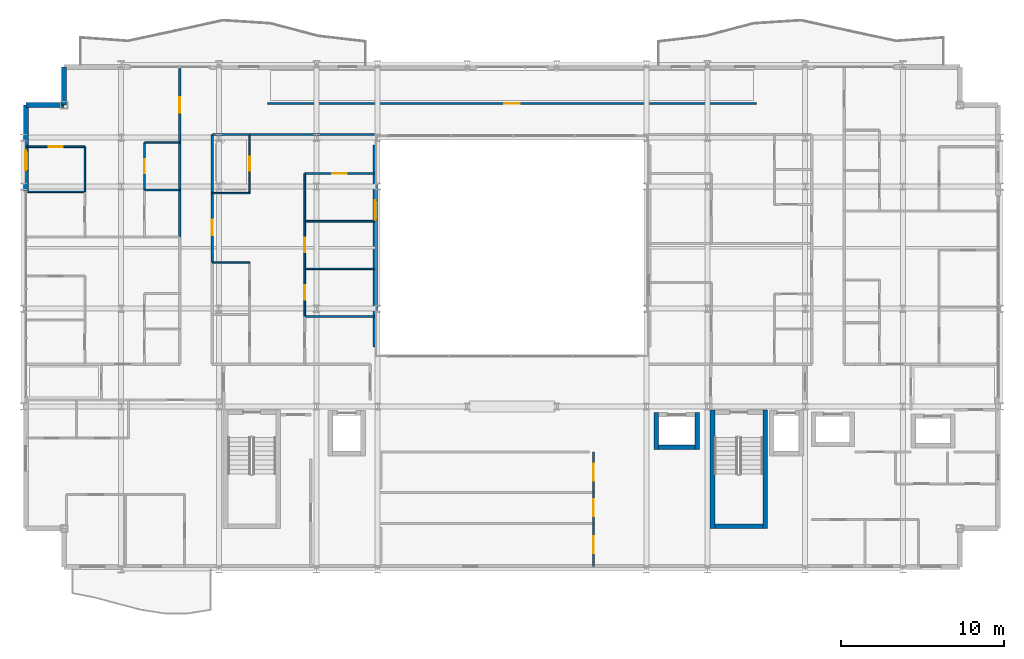
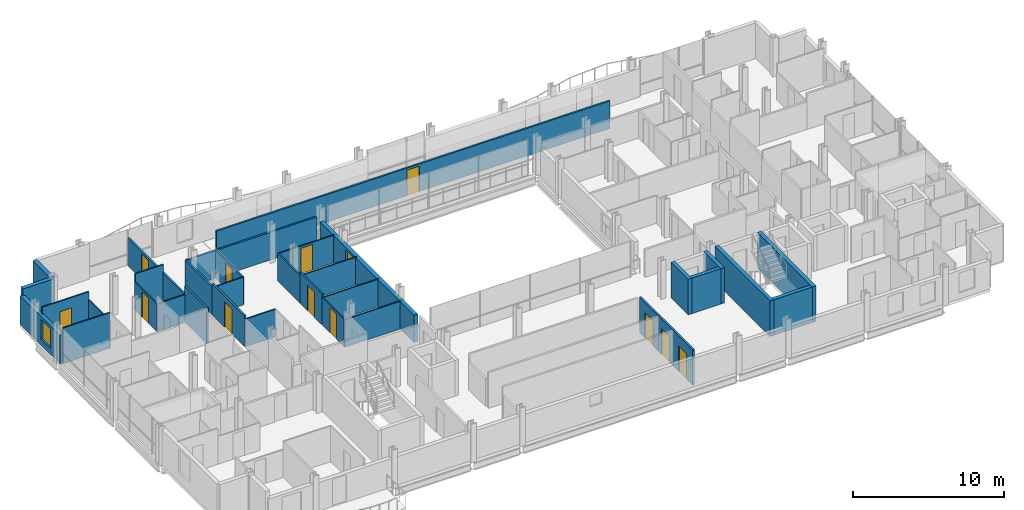
# One storey, part 33 of 40: 37 walls, 12 doors, 2 windows, 14 openings.
"""IFC4 building model written with IfcOpenShell, lengths in metres."""

from ifc_helpers import new_model, si_unit, direction, frame, frame_2d, origin, place, context, subcontext, project, spatial, rectangle, extrude, material, layer, layer_set, type_object, element, fill, save


model = new_model("IFC4")

# Units and contexts
model_context = context("Model", 3, precision=1e-05, world=origin(), true_north=direction((0.0, 1.0)))
body_context = subcontext(model_context, "Body", "Model", "MODEL_VIEW")
ifc_project = project(units=[si_unit("LENGTHUNIT", "METRE"), si_unit("AREAUNIT", "SQUARE_METRE"), si_unit("VOLUMEUNIT", "CUBIC_METRE"), si_unit("PLANEANGLEUNIT", "RADIAN"), si_unit("MASSUNIT", "GRAM", prefix="KILO")], contexts=[model_context])

# Site, building, storey
site_placement = place(None, origin())
site = spatial("IfcSite", under=ifc_project, at=site_placement, CompositionType="ELEMENT")
building_placement = place(site_placement, origin())
building = spatial("IfcBuilding", under=site, at=building_placement, Name="Brevholm Reach", CompositionType="ELEMENT")
storey_placement = place(building_placement, frame((0.0, 0.0, 62.10009765625)))
storey = spatial("IfcBuildingStorey", under=building, at=storey_placement, Name="L17", CompositionType="ELEMENT", Elevation=62.10009765625)

# Walls
ifc_material_1 = material(Name="Concrete C50/60", Category="concrete")
ifc_layer_1 = layer(ifc_material_1, 0.280029296875)
ifc_layer_set_1 = layer_set([ifc_layer_1], Name="Concrete C50/60")
wall_type_1 = type_object("IfcWallType", Name="WAL-COR-280", PredefinedType="SHEAR", material=ifc_layer_set_1)
for number, where, z_axis, x_axis, name in (
    (1, (42.31005859375, 2.5, 0.0), (0.0, 0.0, 1.0), (0.0, 1.0, 0.0), "L17 Escape Stair ST-2 Core Wall W"),
    (2, (45.5400390625, 2.5, 0.0), (0.0, 0.0, 1.0), (0.0, 1.0, 0.0), "L17 Escape Stair ST-2 Core Wall E"),
):
    element("IfcWall", number, at=place(storey_placement, frame(where, z_axis=z_axis, x_axis=x_axis)), inside=storey, type_object=wall_type_1, Name=name, PredefinedType="SHEAR", context=body_context, shape_type="SweptSolid", body=[
        extrude(rectangle(XDim=7.280029296875, YDim=0.280029296875, at=frame_2d((3.64013671875, 0.0))), origin(), (0.0, 0.0, 1.0), 2.869873046875),
    ])
wall_1_placement = place(storey_placement, frame((42.449951171875, 2.639892578125, 0.0), z_axis=(0.0, 0.0, 1.0), x_axis=(1.0, 0.0, 0.0)))
element("IfcWall", 3, at=wall_1_placement, inside=storey, type_object=wall_type_1, Name="L17 Escape Stair ST-2 Core Wall S", PredefinedType="SHEAR", context=body_context, shape_type="SweptSolid", body=[
    extrude(rectangle(XDim=2.949951171875, YDim=0.280029296875, at=frame_2d((1.47509765625, 0.0))), origin(), (0.0, 0.0, 1.0), 2.869873046875),
])
for number, where, z_axis, x_axis, name in (
    (4, (38.8701171875, 7.360107421875, 0.0), (0.0, 0.0, 1.0), (0.0, 1.0, 0.0), "L17 Lift PL-S1 Shaft Wall W"),
    (5, (41.3701171875, 7.360107421875, 0.0), (0.0, 0.0, 1.0), (0.0, 1.0, 0.0), "L17 Lift PL-S1 Shaft Wall E"),
):
    element("IfcWall", number, at=place(storey_placement, frame(where, z_axis=z_axis, x_axis=x_axis)), inside=storey, type_object=wall_type_1, Name=name, PredefinedType="SHEAR", context=body_context, shape_type="SweptSolid", body=[
        extrude(rectangle(XDim=2.27978515625, YDim=0.280029296875, at=frame_2d((1.139892578125, 0.0))), origin(), (0.0, 0.0, 1.0), 2.869873046875),
    ])
wall_2_placement = place(storey_placement, frame((39.010009765625, 7.5, 0.0), z_axis=(0.0, 0.0, 1.0), x_axis=(1.0, 0.0, 0.0)))
element("IfcWall", 6, at=wall_2_placement, inside=storey, type_object=wall_type_1, Name="L17 Lift PL-S1 Shaft Wall S", PredefinedType="SHEAR", context=body_context, shape_type="SweptSolid", body=[
    extrude(rectangle(XDim=2.219970703125, YDim=0.280029296875, at=frame_2d((1.10986328125, 0.0))), origin(), (0.0, 0.0, 1.0), 2.869873046875),
])
ifc_material_2 = material(Name="Concrete C40/50", Category="concrete")
ifc_layer_2 = layer(ifc_material_2, 0.300048828125)
ifc_layer_set_2 = layer_set([ifc_layer_2], Name="Concrete C40/50")
wall_type_2 = type_object("IfcWallType", Name="WAL-EXT-300", PredefinedType="STANDARD", material=ifc_layer_set_2)
for number, where, z_axis, x_axis, name in (
    (7, (2.5, 30.85009765625, 0.0), (0.0, 0.0, 1.0), (0.0, -1.0, 0.0), "L17 Facade Wall WAL-L17-CNW1"),
    (8, (2.5, 28.5, 0.0), (0.0, 0.0, 1.0), (-1.0, 0.0, 0.0), "L17 Facade Wall WAL-L17-CNW2"),
):
    element("IfcWall", number, at=place(storey_placement, frame(where, z_axis=z_axis, x_axis=x_axis)), inside=storey, type_object=wall_type_2, Name=name, PredefinedType="STANDARD", context=body_context, shape_type="SweptSolid", body=[
        extrude(rectangle(XDim=2.35009765625, YDim=0.300048828125, at=frame_2d((1.175048828125, 0.0))), origin(), (0.0, 0.0, 1.0), 2.869873046875),
    ])

# Wall, opening, window
wall_3_placement = place(storey_placement, frame((0.14990234375, 28.5, 0.0), z_axis=(0.0, 0.0, 1.0), x_axis=(0.0, -1.0, 0.0)))
wall_3 = element("IfcWall", 9, at=wall_3_placement, inside=storey, type_object=wall_type_2, Name="L17 Facade Wall WAL-L17-W-N", PredefinedType="STANDARD", context=body_context, shape_type="SweptSolid", body=[
    extrude(rectangle(XDim=5.280029296875, YDim=0.300048828125, at=frame_2d((2.64013671875, 0.0))), origin(), (0.0, 0.0, 1.0), 2.305419921875),
])
opening_1_placement = place(wall_3_placement, frame((2.800048828125, 0.0, 0.486083984375)))
opening_1 = element("IfcOpeningElement", 10, at=opening_1_placement, cuts=wall_3, Name="Opening WN-08", PredefinedType="OPENING", context=body_context, shape_type="SweptSolid", body=[
    extrude(rectangle(XDim=1.199951171875, YDim=1.60009765625, at=frame_2d((0.60009765625, 0.800048828125))), frame((0.0, 0.159912109375, 0.0), z_axis=(0.0, -1.0, 0.0), x_axis=(1.0, 0.0, 0.0)), (0.0, 0.0, 1.0), 0.320068359375),
])
ifc_material_3 = material(Name="Dark Anodised Aluminium and Solar-Control IGU Glass", Category="aluminium")
window_type = type_object("IfcWindowType", Name="WIN-RES-1200", PartitioningType="SINGLE_PANEL", PredefinedType="WINDOW", material=ifc_material_3)
window_1_placement = place(opening_1_placement, origin())
window_1 = element("IfcWindow", 11, at=window_1_placement, inside=storey, type_object=window_type, Name="L17 Window WIN-L17-WN-1", OverallHeight=1.60009765625, OverallWidth=1.199951171875, PartitioningType="SINGLE_PANEL", PredefinedType="WINDOW", context=body_context, shape_type="SweptSolid", body=[
    extrude(rectangle(XDim=1.199951171875, YDim=1.60009765625, at=frame_2d((0.60009765625, 0.800048828125))), frame((0.0, 0.030029296875, 0.0), z_axis=(0.0, -1.0, 0.0), x_axis=(1.0, 0.0, 0.0)), (0.0, 0.0, 1.0), 0.06005859375),
])
fill(opening_1, window_1)

wall_4_placement = place(storey_placement, frame((21.60009765625, 26.050048828125, 0.0), z_axis=(0.0, 0.0, 1.0), x_axis=(0.0, -1.0, 0.0)))
wall_4 = element("IfcWall", 12, at=wall_4_placement, inside=storey, type_object=wall_type_2, Name="L17 Facade Wall WAL-L17-AT-W", PredefinedType="STANDARD", context=body_context, shape_type="SweptSolid", body=[
    extrude(rectangle(XDim=12.400146484375, YDim=0.300048828125, at=frame_2d((6.2001953125, 0.0))), origin(), (0.0, 0.0, 1.0), 2.224609375),
])
opening_2_placement = place(wall_4_placement, frame((3.39990234375, 0.0, 0.405029296875)))
opening_2 = element("IfcOpeningElement", 13, at=opening_2_placement, cuts=wall_4, Name="Opening WN-08", PredefinedType="OPENING", context=body_context, shape_type="SweptSolid", body=[
    extrude(rectangle(XDim=1.199951171875, YDim=1.60009765625, at=frame_2d((0.60009765625, 0.800048828125))), frame((0.0, 0.159912109375, 0.0), z_axis=(0.0, -1.0, 0.0), x_axis=(1.0, 0.0, 0.0)), (0.0, 0.0, 1.0), 0.320068359375),
])
window_2_placement = place(opening_2_placement, origin())
window_2 = element("IfcWindow", 14, at=window_2_placement, inside=storey, type_object=window_type, Name="L17 Window WIN-L17-AT-W1", OverallHeight=1.60009765625, OverallWidth=1.199951171875, PartitioningType="SINGLE_PANEL", PredefinedType="WINDOW", context=body_context, shape_type="SweptSolid", body=[
    extrude(rectangle(XDim=1.199951171875, YDim=1.60009765625, at=frame_2d((0.60009765625, 0.800048828125))), frame((0.0, 0.030029296875, 0.0), z_axis=(0.0, -1.0, 0.0), x_axis=(1.0, 0.0, 0.0)), (0.0, 0.0, 1.0), 0.06005859375),
])
fill(opening_2, window_2)

# Walls
ifc_material_4 = material(Name="Moisture-Resistant Acoustic Gypsum Stud Partition 100 mm", Category="gypsum")
ifc_layer_3 = layer(ifc_material_4, 0.10009765625)
ifc_layer_set_3 = layer_set([ifc_layer_3], Name="Moisture-Resistant Acoustic Gypsum Stud Partition 100 mm")
wall_type_3 = type_object("IfcWallType", Name="WAL-PRT-100", PredefinedType="PARTITIONING", material=ifc_layer_set_3)
wall_5_placement = place(storey_placement, frame((7.43798828125, 23.2880859375, 0.0), z_axis=(0.0, 0.0, 1.0), x_axis=(1.0, 0.0, 0.0)))
element("IfcWall", 15, at=wall_5_placement, inside=storey, type_object=wall_type_3, Name="L17 Internal Partition 095", PredefinedType="PARTITIONING", context=body_context, shape_type="SweptSolid", body=[
    extrude(rectangle(XDim=2.157958984375, YDim=0.10009765625, at=frame_2d((1.0791015625, 0.0))), origin(), (0.0, 0.0, 1.0), 2.224609375),
])
wall_6_placement = place(storey_placement, frame((7.43798828125, 26.199951171875, 0.0), z_axis=(0.0, 0.0, 1.0), x_axis=(1.0, 0.0, 0.0)))
element("IfcWall", 16, at=wall_6_placement, inside=storey, type_object=wall_type_3, Name="L17 Internal Partition 097", PredefinedType="PARTITIONING", context=body_context, shape_type="SweptSolid", body=[
    extrude(rectangle(XDim=2.157958984375, YDim=0.10009765625, at=frame_2d((1.0791015625, 0.0))), origin(), (0.0, 0.0, 1.0), 2.869873046875),
])

# Wall, opening, door
wall_7_placement = place(storey_placement, frame((7.43798828125, 23.2919921875, 0.0), z_axis=(0.0, 0.0, 1.0), x_axis=(0.0, 1.0, 0.0)))
wall_7 = element("IfcWall", 17, at=wall_7_placement, inside=storey, type_object=wall_type_3, Name="L17 Internal Partition 098", PredefinedType="PARTITIONING", context=body_context, shape_type="SweptSolid", body=[
    extrude(rectangle(XDim=2.907958984375, YDim=0.10009765625, at=frame_2d((1.4541015625, 0.0))), origin(), (0.0, 0.0, 1.0), 2.224609375),
])
opening_3_placement = place(wall_7_placement, frame((1.013916015625, 0.0, 0.0)))
opening_3 = element("IfcOpeningElement", 18, at=opening_3_placement, cuts=wall_7, Name="Opening ID-01", PredefinedType="OPENING", context=body_context, shape_type="SweptSolid", body=[
    extrude(rectangle(XDim=0.8798828125, YDim=2.0400390625, at=frame_2d((0.43994140625, 1.02001953125))), frame((0.0, 0.06005859375, 0.0), z_axis=(0.0, -1.0, 0.0), x_axis=(1.0, 0.0, 0.0)), (0.0, 0.0, 1.0), 0.1201171875),
])
ifc_material_5 = material(Name="Lacquered Ash Solid-Core Acoustic Internal Door", Category="timber")
door_type_1 = type_object("IfcDoorType", Name="DOR-INT-880", OperationType="NOTDEFINED", PredefinedType="DOOR", material=ifc_material_5)
door_1_placement = place(opening_3_placement, origin())
door_1 = element("IfcDoor", 19, at=door_1_placement, inside=storey, type_object=door_type_1, Name="L17 Internal Door 035", OperationType="SINGLE_SWING_LEFT", OverallHeight=2.0400390625, OverallWidth=0.8798828125, PredefinedType="DOOR", context=body_context, shape_type="SweptSolid", body=[
    extrude(rectangle(XDim=0.8798828125, YDim=2.0400390625, at=frame_2d((0.43994140625, 1.02001953125))), frame((0.0, 0.02490234375, 0.0), z_axis=(0.0, -1.0, 0.0), x_axis=(1.0, 0.0, 0.0)), (0.0, 0.0, 1.0), 0.050048828125),
])
fill(opening_3, door_1)

# Walls
wall_8_placement = place(storey_placement, frame((0.199951171875, 23.175048828125, 0.0), z_axis=(0.0, 0.0, 1.0), x_axis=(1.0, 0.0, 0.0)))
element("IfcWall", 20, at=wall_8_placement, inside=storey, type_object=wall_type_3, Name="L17 Internal Partition 099", PredefinedType="PARTITIONING", context=body_context, shape_type="SweptSolid", body=[
    extrude(rectangle(XDim=3.572021484375, YDim=0.10009765625, at=frame_2d((1.7861328125, 0.0))), origin(), (0.0, 0.0, 1.0), 2.869873046875),
])
wall_9_placement = place(storey_placement, frame((3.77197265625, 23.178955078125, 0.0), z_axis=(0.0, 0.0, 1.0), x_axis=(0.0, 1.0, 0.0)))
element("IfcWall", 21, at=wall_9_placement, inside=storey, type_object=wall_type_3, Name="L17 Internal Partition 101", PredefinedType="PARTITIONING", context=body_context, shape_type="SweptSolid", body=[
    extrude(rectangle(XDim=2.77099609375, YDim=0.10009765625, at=frame_2d((1.385498046875, 0.0))), origin(), (0.0, 0.0, 1.0), 2.224609375),
])

# Wall, opening, door
wall_10_placement = place(storey_placement, frame((0.199951171875, 25.949951171875, 0.0), z_axis=(0.0, 0.0, 1.0), x_axis=(1.0, 0.0, 0.0)))
wall_10 = element("IfcWall", 22, at=wall_10_placement, inside=storey, type_object=wall_type_3, Name="L17 Internal Partition 102", PredefinedType="PARTITIONING", context=body_context, shape_type="SweptSolid", body=[
    extrude(rectangle(XDim=3.572021484375, YDim=0.10009765625, at=frame_2d((1.7861328125, 0.0))), origin(), (0.0, 0.0, 1.0), 2.869873046875),
])
opening_4_placement = place(wall_10_placement, frame((1.345947265625, 0.0, 0.0)))
opening_4 = element("IfcOpeningElement", 23, at=opening_4_placement, cuts=wall_10, Name="Opening ID-01", PredefinedType="OPENING", context=body_context, shape_type="SweptSolid", body=[
    extrude(rectangle(XDim=0.8798828125, YDim=2.0400390625, at=frame_2d((0.43994140625, 1.02001953125))), frame((0.0, 0.06005859375, 0.0), z_axis=(0.0, -1.0, 0.0), x_axis=(1.0, 0.0, 0.0)), (0.0, 0.0, 1.0), 0.1201171875),
])
door_2_placement = place(opening_4_placement, origin())
door_2 = element("IfcDoor", 24, at=door_2_placement, inside=storey, type_object=door_type_1, Name="L17 Internal Door 037", OperationType="SINGLE_SWING_LEFT", OverallHeight=2.0400390625, OverallWidth=0.8798828125, PredefinedType="DOOR", context=body_context, shape_type="SweptSolid", body=[
    extrude(rectangle(XDim=0.8798828125, YDim=2.0400390625, at=frame_2d((0.43994140625, 1.02001953125))), frame((0.0, 0.02490234375, 0.0), z_axis=(0.0, -1.0, 0.0), x_axis=(1.0, 0.0, 0.0)), (0.0, 0.0, 1.0), 0.050048828125),
])
fill(opening_4, door_2)

# Walls
for number, where, z_axis, x_axis, name in (
    (25, (11.60400390625, 18.85009765625, 0.0), (0.0, 0.0, 1.0), (1.0, 0.0, 0.0), "L17 Internal Partition 106"),
    (26, (11.60400390625, 23.10009765625, 0.0), (0.0, 0.0, 1.0), (1.0, 0.0, 0.0), "L17 Internal Partition 107"),
):
    element("IfcWall", number, at=place(storey_placement, frame(where, z_axis=z_axis, x_axis=x_axis)), inside=storey, type_object=wall_type_3, Name=name, PredefinedType="PARTITIONING", context=body_context, shape_type="SweptSolid", body=[
        extrude(rectangle(XDim=2.284912109375, YDim=0.10009765625, at=frame_2d((1.142578125, 0.0))), origin(), (0.0, 0.0, 1.0), 2.224609375),
    ])

# Wall, opening, door
wall_11_placement = place(storey_placement, frame((13.888916015625, 23.10009765625, 0.0), z_axis=(0.0, 0.0, 1.0), x_axis=(0.0, 1.0, 0.0)))
wall_11 = element("IfcWall", 27, at=wall_11_placement, inside=storey, type_object=wall_type_3, Name="L17 Internal Partition 108", PredefinedType="PARTITIONING", context=body_context, shape_type="SweptSolid", body=[
    extrude(rectangle(XDim=3.595947265625, YDim=0.10009765625, at=frame_2d((1.7978515625, 0.0))), origin(), (0.0, 0.0, 1.0), 2.224609375),
])
opening_5_placement = place(wall_11_placement, frame((1.35791015625, 0.0, 0.0)))
opening_5 = element("IfcOpeningElement", 28, at=opening_5_placement, cuts=wall_11, Name="Opening ID-01", PredefinedType="OPENING", context=body_context, shape_type="SweptSolid", body=[
    extrude(rectangle(XDim=0.8798828125, YDim=2.0400390625, at=frame_2d((0.43994140625, 1.02001953125))), frame((0.0, 0.06005859375, 0.0), z_axis=(0.0, -1.0, 0.0), x_axis=(1.0, 0.0, 0.0)), (0.0, 0.0, 1.0), 0.1201171875),
])
door_3_placement = place(opening_5_placement, origin())
door_3 = element("IfcDoor", 29, at=door_3_placement, inside=storey, type_object=door_type_1, Name="L17 Internal Door 040", OperationType="SINGLE_SWING_RIGHT", OverallHeight=2.0400390625, OverallWidth=0.8798828125, PredefinedType="DOOR", context=body_context, shape_type="SweptSolid", body=[
    extrude(rectangle(XDim=0.8798828125, YDim=2.0400390625, at=frame_2d((0.43994140625, 1.02001953125))), frame((0.0, 0.02490234375, 0.0), z_axis=(0.0, -1.0, 0.0), x_axis=(1.0, 0.0, 0.0)), (0.0, 0.0, 1.0), 0.050048828125),
])
fill(opening_5, door_3)

# Walls
for number, where, z_axis, x_axis, name in (
    (30, (17.27099609375, 15.52490234375, 0.0), (0.0, 0.0, 1.0), (1.0, 0.0, 0.0), "L17 Internal Partition 109"),
    (31, (17.27099609375, 18.449951171875, 0.0), (0.0, 0.0, 1.0), (1.0, 0.0, 0.0), "L17 Internal Partition 111"),
):
    element("IfcWall", number, at=place(storey_placement, frame(where, z_axis=z_axis, x_axis=x_axis)), inside=storey, type_object=wall_type_3, Name=name, PredefinedType="PARTITIONING", context=body_context, shape_type="SweptSolid", body=[
        extrude(rectangle(XDim=4.279052734375, YDim=0.10009765625, at=frame_2d((2.1396484375, 0.0))), origin(), (0.0, 0.0, 1.0), 2.224609375),
    ])

# Wall, opening, door
wall_12_placement = place(storey_placement, frame((17.27099609375, 15.529052734375, 0.0), z_axis=(0.0, 0.0, 1.0), x_axis=(0.0, 1.0, 0.0)))
wall_12 = element("IfcWall", 32, at=wall_12_placement, inside=storey, type_object=wall_type_3, Name="L17 Internal Partition 112", PredefinedType="PARTITIONING", context=body_context, shape_type="SweptSolid", body=[
    extrude(rectangle(XDim=2.9208984375, YDim=0.10009765625, at=frame_2d((1.46044921875, 0.0))), origin(), (0.0, 0.0, 1.0), 2.224609375),
])
opening_6_placement = place(wall_12_placement, frame((1.0205078125, 0.0, 0.0)))
opening_6 = element("IfcOpeningElement", 33, at=opening_6_placement, cuts=wall_12, Name="Opening ID-01", PredefinedType="OPENING", context=body_context, shape_type="SweptSolid", body=[
    extrude(rectangle(XDim=0.8798828125, YDim=2.0400390625, at=frame_2d((0.43994140625, 1.02001953125))), frame((0.0, 0.06005859375, 0.0), z_axis=(0.0, -1.0, 0.0), x_axis=(1.0, 0.0, 0.0)), (0.0, 0.0, 1.0), 0.1201171875),
])
door_4_placement = place(opening_6_placement, origin())
door_4 = element("IfcDoor", 34, at=door_4_placement, inside=storey, type_object=door_type_1, Name="L17 Internal Door 042", OperationType="SINGLE_SWING_RIGHT", OverallHeight=2.0400390625, OverallWidth=0.8798828125, PredefinedType="DOOR", context=body_context, shape_type="SweptSolid", body=[
    extrude(rectangle(XDim=0.8798828125, YDim=2.0400390625, at=frame_2d((0.43994140625, 1.02001953125))), frame((0.0, 0.02490234375, 0.0), z_axis=(0.0, -1.0, 0.0), x_axis=(1.0, 0.0, 0.0)), (0.0, 0.0, 1.0), 0.050048828125),
])
fill(opening_6, door_4)

# Wall
wall_13_placement = place(storey_placement, frame((17.27099609375, 21.375, 0.0), z_axis=(0.0, 0.0, 1.0), x_axis=(1.0, 0.0, 0.0)))
element("IfcWall", 35, at=wall_13_placement, inside=storey, type_object=wall_type_3, Name="L17 Internal Partition 113", PredefinedType="PARTITIONING", context=body_context, shape_type="SweptSolid", body=[
    extrude(rectangle(XDim=4.279052734375, YDim=0.10009765625, at=frame_2d((2.1396484375, 0.0))), origin(), (0.0, 0.0, 1.0), 2.224609375),
])

# Wall, opening, door
wall_14_placement = place(storey_placement, frame((17.27099609375, 18.4541015625, 0.0), z_axis=(0.0, 0.0, 1.0), x_axis=(0.0, 1.0, 0.0)))
wall_14 = element("IfcWall", 36, at=wall_14_placement, inside=storey, type_object=wall_type_3, Name="L17 Internal Partition 114", PredefinedType="PARTITIONING", context=body_context, shape_type="SweptSolid", body=[
    extrude(rectangle(XDim=2.9208984375, YDim=0.10009765625, at=frame_2d((1.46044921875, 0.0))), origin(), (0.0, 0.0, 1.0), 2.489990234375),
])
opening_7_placement = place(wall_14_placement, frame((1.0205078125, 0.0, 0.0)))
opening_7 = element("IfcOpeningElement", 37, at=opening_7_placement, cuts=wall_14, Name="Opening ID-01", PredefinedType="OPENING", context=body_context, shape_type="SweptSolid", body=[
    extrude(rectangle(XDim=0.8798828125, YDim=2.0400390625, at=frame_2d((0.43994140625, 1.02001953125))), frame((0.0, 0.06005859375, 0.0), z_axis=(0.0, -1.0, 0.0), x_axis=(1.0, 0.0, 0.0)), (0.0, 0.0, 1.0), 0.1201171875),
])
door_5_placement = place(opening_7_placement, origin())
door_5 = element("IfcDoor", 38, at=door_5_placement, inside=storey, type_object=door_type_1, Name="L17 Internal Door 043", OperationType="SINGLE_SWING_LEFT", OverallHeight=2.0400390625, OverallWidth=0.8798828125, PredefinedType="DOOR", context=body_context, shape_type="SweptSolid", body=[
    extrude(rectangle(XDim=0.8798828125, YDim=2.0400390625, at=frame_2d((0.43994140625, 1.02001953125))), frame((0.0, 0.02490234375, 0.0), z_axis=(0.0, -1.0, 0.0), x_axis=(1.0, 0.0, 0.0)), (0.0, 0.0, 1.0), 0.050048828125),
])
fill(opening_7, door_5)

wall_15_placement = place(storey_placement, frame((17.27099609375, 24.300048828125, 0.0), z_axis=(0.0, 0.0, 1.0), x_axis=(1.0, 0.0, 0.0)))
wall_15 = element("IfcWall", 39, at=wall_15_placement, inside=storey, type_object=wall_type_3, Name="L17 Internal Partition 115", PredefinedType="PARTITIONING", context=body_context, shape_type="SweptSolid", body=[
    extrude(rectangle(XDim=4.279052734375, YDim=0.10009765625, at=frame_2d((2.1396484375, 0.0))), origin(), (0.0, 0.0, 1.0), 2.224609375),
])
opening_8_placement = place(wall_15_placement, frame((1.699462890625, 0.0, 0.0)))
opening_8 = element("IfcOpeningElement", 40, at=opening_8_placement, cuts=wall_15, Name="Opening ID-01", PredefinedType="OPENING", context=body_context, shape_type="SweptSolid", body=[
    extrude(rectangle(XDim=0.8798828125, YDim=2.0400390625, at=frame_2d((0.43994140625, 1.02001953125))), frame((0.0, 0.06005859375, 0.0), z_axis=(0.0, -1.0, 0.0), x_axis=(1.0, 0.0, 0.0)), (0.0, 0.0, 1.0), 0.1201171875),
])
door_6_placement = place(opening_8_placement, origin())
door_6 = element("IfcDoor", 41, at=door_6_placement, inside=storey, type_object=door_type_1, Name="L17 Internal Door 044", OperationType="SINGLE_SWING_RIGHT", OverallHeight=2.0400390625, OverallWidth=0.8798828125, PredefinedType="DOOR", context=body_context, shape_type="SweptSolid", body=[
    extrude(rectangle(XDim=0.8798828125, YDim=2.0400390625, at=frame_2d((0.43994140625, 1.02001953125))), frame((0.0, 0.02490234375, 0.0), z_axis=(0.0, -1.0, 0.0), x_axis=(1.0, 0.0, 0.0)), (0.0, 0.0, 1.0), 0.050048828125),
])
fill(opening_8, door_6)

# Wall
wall_16_placement = place(storey_placement, frame((17.27099609375, 21.37890625, 0.0), z_axis=(0.0, 0.0, 1.0), x_axis=(0.0, 1.0, 0.0)))
element("IfcWall", 42, at=wall_16_placement, inside=storey, type_object=wall_type_3, Name="L17 Internal Partition 116", PredefinedType="PARTITIONING", context=body_context, shape_type="SweptSolid", body=[
    extrude(rectangle(XDim=2.921142578125, YDim=0.10009765625, at=frame_2d((1.46044921875, 0.0))), origin(), (0.0, 0.0, 1.0), 2.224609375),
])

# Wall, opening, door
ifc_material_6 = material(Name="Twin-Stud Acoustic Fire-Rated Gypsum Partition 140 mm", Category="gypsum")
ifc_layer_4 = layer(ifc_material_6, 0.139892578125)
ifc_layer_set_4 = layer_set([ifc_layer_4], Name="Twin-Stud Acoustic Fire-Rated Gypsum Partition 140 mm")
wall_type_4 = type_object("IfcWallType", Name="WAL-PRT-140", PredefinedType="PARTITIONING", material=ifc_layer_set_4)
wall_17_placement = place(storey_placement, frame((35.0, 0.179931640625, 0.0), z_axis=(0.0, 0.0, 1.0), x_axis=(0.0, 1.0, 0.0)))
wall_17 = element("IfcWall", 43, at=wall_17_placement, inside=storey, type_object=wall_type_4, Name="L17 Internal Partition 001", PredefinedType="PARTITIONING", context=body_context, shape_type="SweptSolid", body=[
    extrude(rectangle(XDim=2.6484375, YDim=0.139892578125, at=frame_2d((1.32421875, 0.0))), origin(), (0.0, 0.0, 1.0), 2.869873046875),
])
opening_9_placement = place(wall_17_placement, frame((0.799072265625, 0.0, 0.0)))
opening_9 = element("IfcOpeningElement", 44, at=opening_9_placement, cuts=wall_17, Name="Opening FD-01", PredefinedType="OPENING", context=body_context, shape_type="SweptSolid", body=[
    extrude(rectangle(XDim=1.050048828125, YDim=2.06005859375, at=frame_2d((0.52490234375, 1.030029296875))), frame((0.0, 0.079833984375, 0.0), z_axis=(0.0, -1.0, 0.0), x_axis=(1.0, 0.0, 0.0)), (0.0, 0.0, 1.0), 0.159912109375),
])
ifc_material_7 = material(Name="Hardwood-Lipped Steel-Core Fire and Smoke Door", Category="steel")
door_type_2 = type_object("IfcDoorType", Name="DOR-INT-FD60S", OperationType="NOTDEFINED", PredefinedType="DOOR", material=ifc_material_7)
door_7_placement = place(opening_9_placement, origin())
door_7 = element("IfcDoor", 45, at=door_7_placement, inside=storey, type_object=door_type_2, Name="L17 Internal Door 001", OperationType="SINGLE_SWING_LEFT", OverallHeight=2.06005859375, OverallWidth=1.050048828125, PredefinedType="DOOR", context=body_context, shape_type="SweptSolid", body=[
    extrude(rectangle(XDim=1.050048828125, YDim=2.06005859375, at=frame_2d((0.52490234375, 1.030029296875))), frame((0.0, 0.02490234375, 0.0), z_axis=(0.0, -1.0, 0.0), x_axis=(1.0, 0.0, 0.0)), (0.0, 0.0, 1.0), 0.050048828125),
])
fill(opening_9, door_7)

wall_18_placement = place(storey_placement, frame((35.0, 2.809814453125, 0.0), z_axis=(0.0, 0.0, 1.0), x_axis=(0.0, 1.0, 0.0)))
wall_18 = element("IfcWall", 46, at=wall_18_placement, inside=storey, type_object=wall_type_4, Name="L17 Internal Partition 002", PredefinedType="PARTITIONING", context=body_context, shape_type="SweptSolid", body=[
    extrude(rectangle(XDim=1.91845703125, YDim=0.139892578125, at=frame_2d((0.959228515625, 0.0))), origin(), (0.0, 0.0, 1.0), 2.869873046875),
])
opening_10_placement = place(wall_18_placement, frame((0.434326171875, 0.0, 0.0)))
opening_10 = element("IfcOpeningElement", 47, at=opening_10_placement, cuts=wall_18, Name="Opening FD-01", PredefinedType="OPENING", context=body_context, shape_type="SweptSolid", body=[
    extrude(rectangle(XDim=1.050048828125, YDim=2.06005859375, at=frame_2d((0.52490234375, 1.030029296875))), frame((0.0, 0.079833984375, 0.0), z_axis=(0.0, -1.0, 0.0), x_axis=(1.0, 0.0, 0.0)), (0.0, 0.0, 1.0), 0.159912109375),
])
door_8_placement = place(opening_10_placement, origin())
door_8 = element("IfcDoor", 48, at=door_8_placement, inside=storey, type_object=door_type_2, Name="L17 Internal Door 002", OperationType="SINGLE_SWING_RIGHT", OverallHeight=2.06005859375, OverallWidth=1.050048828125, PredefinedType="DOOR", context=body_context, shape_type="SweptSolid", body=[
    extrude(rectangle(XDim=1.050048828125, YDim=2.06005859375, at=frame_2d((0.52490234375, 1.030029296875))), frame((0.0, 0.02490234375, 0.0), z_axis=(0.0, -1.0, 0.0), x_axis=(1.0, 0.0, 0.0)), (0.0, 0.0, 1.0), 0.050048828125),
])
fill(opening_10, door_8)

wall_19_placement = place(storey_placement, frame((35.0, 4.709716796875, 0.0), z_axis=(0.0, 0.0, 1.0), x_axis=(0.0, 1.0, 0.0)))
wall_19 = element("IfcWall", 49, at=wall_19_placement, inside=storey, type_object=wall_type_4, Name="L17 Internal Partition 003", PredefinedType="PARTITIONING", context=body_context, shape_type="SweptSolid", body=[
    extrude(rectangle(XDim=2.50146484375, YDim=0.139892578125, at=frame_2d((1.250732421875, 0.0))), origin(), (0.0, 0.0, 1.0), 2.869873046875),
])
opening_11_placement = place(wall_19_placement, frame((0.725830078125, 0.0, 0.0)))
opening_11 = element("IfcOpeningElement", 50, at=opening_11_placement, cuts=wall_19, Name="Opening FD-01", PredefinedType="OPENING", context=body_context, shape_type="SweptSolid", body=[
    extrude(rectangle(XDim=1.050048828125, YDim=2.06005859375, at=frame_2d((0.52490234375, 1.030029296875))), frame((0.0, 0.079833984375, 0.0), z_axis=(0.0, -1.0, 0.0), x_axis=(1.0, 0.0, 0.0)), (0.0, 0.0, 1.0), 0.159912109375),
])
door_9_placement = place(opening_11_placement, origin())
door_9 = element("IfcDoor", 51, at=door_9_placement, inside=storey, type_object=door_type_2, Name="L17 Internal Door 003", OperationType="SINGLE_SWING_LEFT", OverallHeight=2.06005859375, OverallWidth=1.050048828125, PredefinedType="DOOR", context=body_context, shape_type="SweptSolid", body=[
    extrude(rectangle(XDim=1.050048828125, YDim=2.06005859375, at=frame_2d((0.52490234375, 1.030029296875))), frame((0.0, 0.02490234375, 0.0), z_axis=(0.0, -1.0, 0.0), x_axis=(1.0, 0.0, 0.0)), (0.0, 0.0, 1.0), 0.050048828125),
])
fill(opening_11, door_9)

# Walls
wall_20_placement = place(storey_placement, frame((9.60009765625, 20.392578125, 0.0), z_axis=(0.0, 0.0, 1.0), x_axis=(0.0, 1.0, 0.0)))
element("IfcWall", 52, at=wall_20_placement, inside=storey, type_object=wall_type_4, Name="L17 Internal Partition 035", PredefinedType="PARTITIONING", context=body_context, shape_type="SweptSolid", body=[
    extrude(rectangle(XDim=2.90673828125, YDim=0.139892578125, at=frame_2d((1.453369140625, 0.0))), origin(), (0.0, 0.0, 1.0), 2.869873046875),
])
wall_21_placement = place(storey_placement, frame((9.60009765625, 23.28076171875, 0.0), z_axis=(0.0, 0.0, 1.0), x_axis=(0.0, 1.0, 0.0)))
element("IfcWall", 53, at=wall_21_placement, inside=storey, type_object=wall_type_4, Name="L17 Internal Partition 036", PredefinedType="PARTITIONING", context=body_context, shape_type="SweptSolid", body=[
    extrude(rectangle(XDim=2.930419921875, YDim=0.139892578125, at=frame_2d((1.46533203125, 0.0))), origin(), (0.0, 0.0, 1.0), 2.224609375),
])

# Wall, opening, door
wall_22_placement = place(storey_placement, frame((9.60009765625, 26.192626953125, 0.0), z_axis=(0.0, 0.0, 1.0), x_axis=(0.0, 1.0, 0.0)))
wall_22 = element("IfcWall", 54, at=wall_22_placement, inside=storey, type_object=wall_type_4, Name="L17 Internal Partition 037", PredefinedType="PARTITIONING", context=body_context, shape_type="SweptSolid", body=[
    extrude(rectangle(XDim=4.607421875, YDim=0.139892578125, at=frame_2d((2.3037109375, 0.0))), origin(), (0.0, 0.0, 1.0), 2.224609375),
])
opening_12_placement = place(wall_22_placement, frame((1.82861328125, 0.0, 0.0)))
opening_12 = element("IfcOpeningElement", 55, at=opening_12_placement, cuts=wall_22, Name="Opening ID-30", PredefinedType="OPENING", context=body_context, shape_type="SweptSolid", body=[
    extrude(rectangle(XDim=0.949951171875, YDim=2.050048828125, at=frame_2d((0.47509765625, 1.02490234375))), frame((0.0, 0.079833984375, 0.0), z_axis=(0.0, -1.0, 0.0), x_axis=(1.0, 0.0, 0.0)), (0.0, 0.0, 1.0), 0.159912109375),
])
ifc_material_8 = material(Name="European Oak Veneered Solid-Core Fire Entrance Door", Category="timber")
door_type_3 = type_object("IfcDoorType", Name="DOR-FLT-FD30S", OperationType="NOTDEFINED", PredefinedType="DOOR", material=ifc_material_8)
door_10_placement = place(opening_12_placement, origin())
door_10 = element("IfcDoor", 56, at=door_10_placement, inside=storey, type_object=door_type_3, Name="L17 Internal Door 016", OperationType="SINGLE_SWING_RIGHT", OverallHeight=2.050048828125, OverallWidth=0.949951171875, PredefinedType="DOOR", context=body_context, shape_type="SweptSolid", body=[
    extrude(rectangle(XDim=0.949951171875, YDim=2.050048828125, at=frame_2d((0.47509765625, 1.02490234375))), frame((0.0, 0.02490234375, 0.0), z_axis=(0.0, -1.0, 0.0), x_axis=(1.0, 0.0, 0.0)), (0.0, 0.0, 1.0), 0.050048828125),
])
fill(opening_12, door_10)

# Wall
wall_23_placement = place(storey_placement, frame((11.60009765625, 23.088623046875, 0.0), z_axis=(0.0, 0.0, 1.0), x_axis=(0.0, 1.0, 0.0)))
element("IfcWall", 57, at=wall_23_placement, inside=storey, type_object=wall_type_4, Name="L17 Internal Partition 040", PredefinedType="PARTITIONING", context=body_context, shape_type="SweptSolid", body=[
    extrude(rectangle(XDim=3.61865234375, YDim=0.139892578125, at=frame_2d((1.809326171875, 0.0))), origin(), (0.0, 0.0, 1.0), 2.224609375),
])

# Wall, opening, door
wall_24_placement = place(storey_placement, frame((11.60009765625, 18.8427734375, 0.0), z_axis=(0.0, 0.0, 1.0), x_axis=(0.0, 1.0, 0.0)))
wall_24 = element("IfcWall", 58, at=wall_24_placement, inside=storey, type_object=wall_type_4, Name="L17 Internal Partition 041", PredefinedType="PARTITIONING", context=body_context, shape_type="SweptSolid", body=[
    extrude(rectangle(XDim=4.2646484375, YDim=0.139892578125, at=frame_2d((2.13232421875, 0.0))), origin(), (0.0, 0.0, 1.0), 2.489990234375),
])
opening_13_placement = place(wall_24_placement, frame((1.6572265625, 0.0, 0.0)))
opening_13 = element("IfcOpeningElement", 59, at=opening_13_placement, cuts=wall_24, Name="Opening ID-30", PredefinedType="OPENING", context=body_context, shape_type="SweptSolid", body=[
    extrude(rectangle(XDim=0.949951171875, YDim=2.050048828125, at=frame_2d((0.47509765625, 1.02490234375))), frame((0.0, 0.079833984375, 0.0), z_axis=(0.0, -1.0, 0.0), x_axis=(1.0, 0.0, 0.0)), (0.0, 0.0, 1.0), 0.159912109375),
])
door_11_placement = place(opening_13_placement, origin())
door_11 = element("IfcDoor", 60, at=door_11_placement, inside=storey, type_object=door_type_3, Name="L17 Internal Door 017", OperationType="SINGLE_SWING_LEFT", OverallHeight=2.050048828125, OverallWidth=0.949951171875, PredefinedType="DOOR", context=body_context, shape_type="SweptSolid", body=[
    extrude(rectangle(XDim=0.949951171875, YDim=2.050048828125, at=frame_2d((0.47509765625, 1.02490234375))), frame((0.0, 0.02490234375, 0.0), z_axis=(0.0, -1.0, 0.0), x_axis=(1.0, 0.0, 0.0)), (0.0, 0.0, 1.0), 0.050048828125),
])
fill(opening_13, door_11)

# Walls
wall_25_placement = place(storey_placement, frame((11.60400390625, 26.699951171875, 0.0), z_axis=(0.0, 0.0, 1.0), x_axis=(1.0, 0.0, 0.0)))
element("IfcWall", 61, at=wall_25_placement, inside=storey, type_object=wall_type_4, Name="L17 Internal Partition 054", PredefinedType="PARTITIONING", context=body_context, shape_type="SweptSolid", body=[
    extrude(rectangle(XDim=2.29638671875, YDim=0.139892578125, at=frame_2d((1.148193359375, 0.0))), origin(), (0.0, 0.0, 1.0), 2.224609375),
])
wall_26_placement = place(storey_placement, frame((13.881591796875, 26.699951171875, 0.0), z_axis=(0.0, 0.0, 1.0), x_axis=(1.0, 0.0, 0.0)))
element("IfcWall", 62, at=wall_26_placement, inside=storey, type_object=wall_type_4, Name="L17 Internal Partition 055", PredefinedType="PARTITIONING", context=body_context, shape_type="SweptSolid", body=[
    extrude(rectangle(XDim=7.6796875, YDim=0.139892578125, at=frame_2d((3.83984375, 0.0))), origin(), (0.0, 0.0, 1.0), 2.224609375),
])

# Wall, opening, door
wall_27_placement = place(storey_placement, frame((14.98876953125, 28.60009765625, 0.0), z_axis=(0.0, 0.0, 1.0), x_axis=(1.0, 0.0, 0.0)))
wall_27 = element("IfcWall", 63, at=wall_27_placement, inside=storey, type_object=wall_type_4, Name="L17 Internal Partition 058", PredefinedType="PARTITIONING", context=body_context, shape_type="SweptSolid", body=[
    extrude(rectangle(XDim=30.0224609375, YDim=0.139892578125, at=frame_2d((15.01123046875, 0.0))), origin(), (0.0, 0.0, 1.0), 2.224609375),
])
opening_14_placement = place(wall_27_placement, frame((14.536376953125, 0.0, 0.0)))
opening_14 = element("IfcOpeningElement", 64, at=opening_14_placement, cuts=wall_27, Name="Opening ID-30", PredefinedType="OPENING", context=body_context, shape_type="SweptSolid", body=[
    extrude(rectangle(XDim=0.949951171875, YDim=2.050048828125, at=frame_2d((0.47509765625, 1.02490234375))), frame((0.0, 0.079833984375, 0.0), z_axis=(0.0, -1.0, 0.0), x_axis=(1.0, 0.0, 0.0)), (0.0, 0.0, 1.0), 0.159912109375),
])
door_12_placement = place(opening_14_placement, origin())
door_12 = element("IfcDoor", 65, at=door_12_placement, inside=storey, type_object=door_type_3, Name="L17 Internal Door 021", OperationType="SINGLE_SWING_LEFT", OverallHeight=2.050048828125, OverallWidth=0.949951171875, PredefinedType="DOOR", context=body_context, shape_type="SweptSolid", body=[
    extrude(rectangle(XDim=0.949951171875, YDim=2.050048828125, at=frame_2d((0.47509765625, 1.02490234375))), frame((0.0, 0.02490234375, 0.0), z_axis=(0.0, -1.0, 0.0), x_axis=(1.0, 0.0, 0.0)), (0.0, 0.0, 1.0), 0.050048828125),
])
fill(opening_14, door_12)

save(model, "model.ifc")
